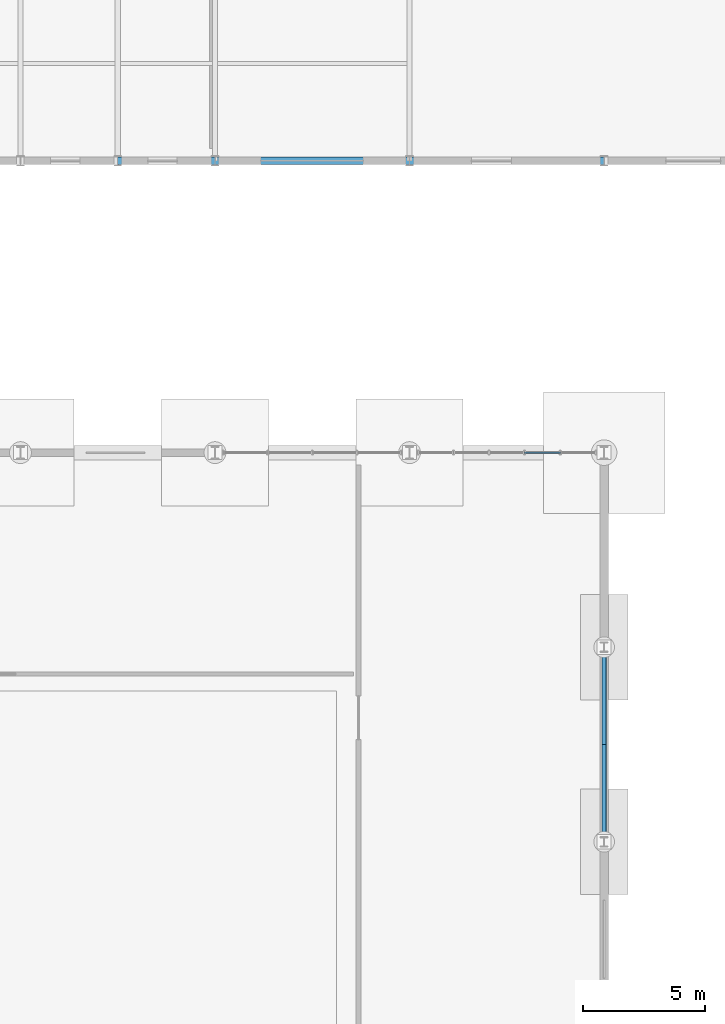
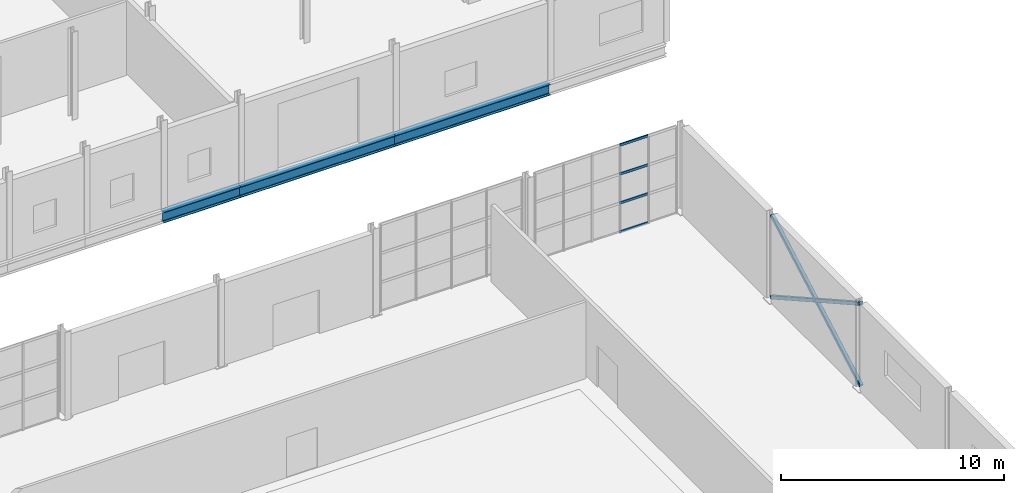
# One storey, part 60 of 101: 6 members, 3 beams, 1 element without a shape of its own.
"""IFC4 building model written with IfcOpenShell, lengths in metres."""

import ifcopenshell
import ifcopenshell.guid

model = None  # the IFC model being written
_history = None  # IfcOwnerHistory: only IFC2X3 demands one
_inside = {}  # id of a spatial element -> (the spatial element, [elements in it])
_under = {}  # id of a project, library or spatial element -> (it, [spatial elements below it])
_declared = {}  # id of a project -> (the project, [libraries it declares])
_typed = {}  # id of a type object -> (the type object, [elements of that type])
_made_of = {}  # id of a material, layer set ... -> (it, [elements and type objects made of it])


def new_model(schema):
    """Start an empty IFC model of exactly this schema.

    Asked for "IFC4X3", IfcOpenShell would pick the latest addendum, in which some entities
    have other attributes; the version numbers below select the first issue.
    IFC2X3 requires an IfcOwnerHistory on every rooted entity: one is made here for all.
    """
    global model, _history
    if schema == "IFC4X3":
        model = ifcopenshell.file(schema_version=(4, 3, 0, 0))
    else:
        model = ifcopenshell.file(schema=schema)
    _inside.clear()
    _under.clear()
    _declared.clear()
    _typed.clear()
    _made_of.clear()
    _history = None
    if model.schema == "IFC2X3":
        org = make("IfcOrganization", Name="unknown")
        user = make(
            "IfcPersonAndOrganization",
            ThePerson=make("IfcPerson", FamilyName="unknown"),
            TheOrganization=org,
        )
        app = make(
            "IfcApplication",
            ApplicationDeveloper=org,
            Version="unknown",
            ApplicationFullName="unknown",
            ApplicationIdentifier="unknown",
        )
        _history = make(
            "IfcOwnerHistory",
            OwningUser=user,
            OwningApplication=app,
            ChangeAction="ADDED",
            CreationDate=0,
        )
    return model


def make(cls, **values):
    """One entity of the class cls with the attributes given. An attribute that is None is left unset."""
    return model.create_entity(
        cls, **{name: value for name, value in values.items() if value is not None}
    )


def rooted(cls, **values):
    """An entity with a GlobalId (a new one), such as an element, a storey or a relation."""
    return make(cls, GlobalId=ifcopenshell.guid.new(), OwnerHistory=_history, **values)


def si_unit(unit_type, name, prefix=None):
    """IfcSIUnit, for example si_unit("LENGTHUNIT", "METRE", prefix="MILLI")."""
    return make("IfcSIUnit", UnitType=unit_type, Prefix=prefix, Name=name)


def derived_unit(unit_type, elements):
    """IfcDerivedUnit: a product of units, each with its exponent."""
    return make(
        "IfcDerivedUnit",
        Elements=[
            make("IfcDerivedUnitElement", Unit=unit, Exponent=power)
            for unit, power in elements
        ],
        UnitType=unit_type,
    )


def assignment(units):
    """IfcUnitAssignment: the units of a project."""
    return None if units is None else make("IfcUnitAssignment", Units=units)


def point(xyz):
    """IfcCartesianPoint."""
    return None if xyz is None else make("IfcCartesianPoint", Coordinates=xyz)


def direction(xyz):
    """IfcDirection."""
    return None if xyz is None else make("IfcDirection", DirectionRatios=xyz)


def frame(location, z_axis=None, x_axis=None):
    """IfcAxis2Placement3D, a coordinate frame: its origin and axes. An axis left out is left unset."""
    return make(
        "IfcAxis2Placement3D",
        Location=point(location),
        Axis=direction(z_axis),
        RefDirection=direction(x_axis),
    )


def frame_2d(location, x_axis=None):
    """IfcAxis2Placement2D, a coordinate frame in the plane: its origin and x axis."""
    return make(
        "IfcAxis2Placement2D", Location=point(location), RefDirection=direction(x_axis)
    )


def origin():
    """The frame at (0, 0, 0) with its axes left unset."""
    return frame((0.0, 0.0, 0.0))


def origin_2d():
    """The frame at (0, 0) in the plane with its x axis left unset."""
    return frame_2d((0.0, 0.0))


def place(relative_to, where):
    """IfcLocalPlacement: puts the frame where relative to a parent placement (None: the world)."""
    return make(
        "IfcLocalPlacement", PlacementRelTo=relative_to, RelativePlacement=where
    )


def context(
    kind, dimensions, precision=None, world=None, true_north=None, identifier=None
):
    """IfcGeometricRepresentationContext, for example the 3D "Model" context."""
    return make(
        "IfcGeometricRepresentationContext",
        ContextIdentifier=identifier,
        ContextType=kind,
        CoordinateSpaceDimension=dimensions,
        Precision=precision,
        WorldCoordinateSystem=world,
        TrueNorth=true_north,
    )


def subcontext(parent, identifier, kind, view, scale=None):
    """IfcGeometricRepresentationSubContext, for example "Body" below "Model"."""
    return make(
        "IfcGeometricRepresentationSubContext",
        ContextIdentifier=identifier,
        ContextType=kind,
        ParentContext=parent,
        TargetScale=scale,
        TargetView=view,
    )


def project(units=None, contexts=None):
    """IfcProject with its units and contexts."""
    return rooted(
        "IfcProject",
        Name="project",
        RepresentationContexts=contexts,
        UnitsInContext=assignment(units),
    )


def spatial(cls, under=None, at=None, **own):
    """A site, building, storey or space (cls), placed at a placement, below another one or the project."""
    s = rooted(cls, ObjectPlacement=at, **own)
    if under is not None:
        _under.setdefault(under.id(), (under, []))[1].append(s)
    return s


def profile(cls, at=None, kind="AREA", **sizes):
    """A parametric profile (cls). Its sizes go by their IFC names, for example OverallWidth=200.0."""
    return make(cls, ProfileType=kind, Position=at, **sizes)


def hollow_rectangle(**sizes):
    """IfcRectangleHollowProfileDef."""
    return profile("IfcRectangleHollowProfileDef", **sizes)


def i_section(**sizes):
    """IfcIShapeProfileDef."""
    return profile("IfcIShapeProfileDef", **sizes)


def extrude(swept, where, along, depth):
    """IfcExtrudedAreaSolid: the profile swept, set in the frame where, extruded along a direction by depth."""
    return make(
        "IfcExtrudedAreaSolid",
        SweptArea=swept,
        Position=where,
        ExtrudedDirection=direction(along),
        Depth=depth,
    )


def shape(context_of_items, identifier, shape_type, items):
    """IfcShapeRepresentation: the items that make up one representation, for example the "Body"."""
    return make(
        "IfcShapeRepresentation",
        ContextOfItems=context_of_items,
        RepresentationIdentifier=identifier,
        RepresentationType=shape_type,
        Items=items,
    )


def material(Name=None, Category=None):
    """IfcMaterial."""
    return make("IfcMaterial", Name=Name, Category=Category)


def material_profile(
    of_material, cross_section, Name=None, Category=None, Priority=None
):
    """IfcMaterialProfile: a cross section and its material."""
    return make(
        "IfcMaterialProfile",
        Name=Name,
        Material=of_material,
        Profile=cross_section,
        Priority=Priority,
        Category=Category,
    )


def profile_set(profiles, Name=None, composite=None):
    """IfcMaterialProfileSet."""
    return make(
        "IfcMaterialProfileSet",
        Name=Name,
        MaterialProfiles=profiles,
        CompositeProfile=composite,
    )


def made_of(thing, what):
    """Note that an element or type object is made of a material, layer set ...; save() writes the relation."""
    if what is not None:
        _made_of.setdefault(what.id(), (what, []))[1].append(thing)
    return thing


def type_object(cls, material=None, **own):
    """A type object (cls), such as IfcWallType, which elements share."""
    return made_of(rooted(cls, **own), material)


def element(
    cls,
    number,
    at=None,
    inside=None,
    cuts=None,
    type_object=None,
    material=None,
    context=None,
    identifier="Body",
    shape_type=None,
    held_by="IfcProductDefinitionShape",
    body=None,
    shapes=None,
    **own,
):
    """One element of the class cls, such as IfcWall. Its Tag is "e" and its number.

    at: its placement. inside: the storey or other place that contains it. cuts: it is an
    opening in that element (IfcRelVoidsElement). A single representation is given by context,
    identifier, shape_type and body (its items); several are given by shapes. held_by: the class
    of the entity that holds the representations. save() writes the other relations.
    """
    e = rooted(cls, Tag="e%d" % number, ObjectPlacement=at, **own)
    if body is not None:
        shapes = [shape(context, identifier, shape_type, body)]
    if shapes is not None:
        e.Representation = make(held_by, Representations=shapes)
    if inside is not None:
        _inside.setdefault(inside.id(), (inside, []))[1].append(e)
    if cuts is not None:
        rooted(
            "IfcRelVoidsElement", RelatingBuildingElement=cuts, RelatedOpeningElement=e
        )
    if type_object is not None:
        _typed.setdefault(type_object.id(), (type_object, []))[1].append(e)
    return made_of(e, material)


def aggregate(whole, parts):
    """IfcRelAggregates: a whole, such as a stair, and the parts it consists of."""
    return rooted("IfcRelAggregates", RelatingObject=whole, RelatedObjects=parts)


def save(model, path):
    """Write the relations noted so far, then the file.

    IfcRelAggregates (storeys below a building ...), IfcRelContainedInSpatialStructure (elements
    in a storey), IfcRelDefinesByType, IfcRelAssociatesMaterial and IfcRelDeclares: one each for
    every whole, place, type object, material and project.
    """
    for whole, parts in _under.values():
        aggregate(whole, parts)
    for where, things in _inside.values():
        rooted(
            "IfcRelContainedInSpatialStructure",
            RelatedElements=things,
            RelatingStructure=where,
        )
    for kind, things in _typed.values():
        rooted("IfcRelDefinesByType", RelatedObjects=things, RelatingType=kind)
    for what, things in _made_of.values():
        rooted("IfcRelAssociatesMaterial", RelatedObjects=things, RelatingMaterial=what)
    for by, libraries in _declared.values():
        rooted("IfcRelDeclares", RelatingContext=by, RelatedDefinitions=libraries)
    model.write(path)


model = new_model("IFC4")

# Units and contexts
model_context = context("Model", 3, precision=1e-05, world=origin(), true_north=direction((0.0, 1.0)))
body_context = subcontext(model_context, "Body", "Model", "MODEL_VIEW")
ifc_project = project(units=[si_unit("LENGTHUNIT", "METRE"), si_unit("AREAUNIT", "SQUARE_METRE"), si_unit("VOLUMEUNIT", "CUBIC_METRE"), si_unit("PLANEANGLEUNIT", "RADIAN"), si_unit("MASSUNIT", "GRAM", prefix="KILO"), derived_unit("THERMALTRANSMITTANCEUNIT", [(si_unit("POWERUNIT", "WATT"), 1), (si_unit("LENGTHUNIT", "METRE"), -2), (si_unit("THERMODYNAMICTEMPERATUREUNIT", "KELVIN"), -1)])], contexts=[model_context])

# Site, building, storey
site_placement = place(None, origin())
site = spatial("IfcSite", under=ifc_project, at=site_placement, CompositionType="ELEMENT")
building_placement = place(site_placement, origin())
building = spatial("IfcBuilding", under=site, at=building_placement, Name="Keldorne Ridge Multi-Sports Centre", CompositionType="ELEMENT")
storey_placement = place(building_placement, origin())
storey = spatial("IfcBuildingStorey", under=building, at=storey_placement, Name="L00", CompositionType="ELEMENT", Elevation=0.0)

# Beams
ifc_material_1 = material(Name="Steel S355", Category="steel")
ifc_material_profile_1 = material_profile(ifc_material_1, i_section(OverallWidth=0.300048828125, OverallDepth=0.590087890625, WebThickness=0.012939453125, FlangeThickness=0.02490234375, FilletRadius=0.027099609375, at=origin_2d()), Name="HEA 600")
ifc_profile_set_1 = profile_set([ifc_material_profile_1], Name="Steel S355")
beam_type = type_object("IfcBeamType", Name="BM-B-06", PredefinedType="BEAM", material=ifc_profile_set_1)
beam_placement = place(storey_placement, frame((148.0, 66.0, -0.56494140625), z_axis=(1.0, 0.0, 0.0), x_axis=(0.0, 1.0, 0.0)))
element("IfcBeam", 1, at=beam_placement, inside=storey, type_object=beam_type, Name="L00 primary beam 10.66", PredefinedType="BEAM", context=body_context, shape_type="SweptSolid", body=[
    extrude(i_section(OverallWidth=0.300048828125, OverallDepth=0.590087890625, WebThickness=0.012939453125, FlangeThickness=0.02490234375, FilletRadius=0.027099609375, at=origin_2d()), origin(), (0.0, 0.0, 1.0), 4.0),
])
for number, where, z_axis, x_axis, name in (
    (2, (152.0, 66.0, -0.56494140625), (1.0, 0.0, 0.0), (0.0, 1.0, 0.0), "L00 primary beam 11.66"),
    (3, (160.0, 66.0, -0.56494140625), (1.0, 0.0, 0.0), (0.0, 1.0, 0.0), "L00 primary beam 12.66"),
):
    element("IfcBeam", number, at=place(storey_placement, frame(where, z_axis=z_axis, x_axis=x_axis)), inside=storey, type_object=beam_type, Name=name, PredefinedType="BEAM", context=body_context, shape_type="SweptSolid", body=[
        extrude(i_section(OverallWidth=0.300048828125, OverallDepth=0.590087890625, WebThickness=0.012939453125, FlangeThickness=0.02490234375, FilletRadius=0.027099609375, at=origin_2d()), origin(), (0.0, 0.0, 1.0), 8.0),
    ])

# Curtain wall, members
ifc_material_2 = material(Name="Anodized aluminium", Category="aluminium")
curtain_wall_type = type_object("IfcCurtainWallType", Name="CW-CW-07", PredefinedType="NOTDEFINED", material=ifc_material_2)
curtain_wall_placement = place(storey_placement, origin())
curtain_wall = element("IfcCurtainWall", 4, at=curtain_wall_placement, inside=storey, type_object=curtain_wall_type, Name="Lower Courts north glazing 135", PredefinedType="NOTDEFINED")
ifc_material_profile_2 = material_profile(ifc_material_2, hollow_rectangle(XDim=0.06494140625, YDim=0.139892578125, WallThickness=0.00439453125, InnerFilletRadius=0.00439453125, OuterFilletRadius=0.009033203125, at=origin_2d()), Name="ALU TRANSOM 140x65x4.5")
ifc_profile_set_2 = profile_set([ifc_material_profile_2], Name="Anodized aluminium")
member_type_1 = type_object("IfcMemberType", Name="MEM-TR-01", PredefinedType="USERDEFINED", material=ifc_profile_set_2)
member_1_placement = place(storey_placement, frame((166.196044921875, 54.0, 0.0), z_axis=(-1.0, 0.0, 0.0), x_axis=(0.0, -1.0, 0.0)))
member_1 = element("IfcMember", 5, at=member_1_placement, type_object=member_type_1, Name="CW-135 transom 2.1", ObjectType="TRANSOM", PredefinedType="USERDEFINED", context=body_context, shape_type="SweptSolid", body=[
    extrude(hollow_rectangle(XDim=0.06494140625, YDim=0.139892578125, WallThickness=0.00439453125, InnerFilletRadius=0.00439453125, OuterFilletRadius=0.009033203125, at=origin_2d()), origin(), (0.0, 0.0, 1.0), 1.464111328125),
])
member_2_placement = place(storey_placement, frame((166.196044921875, 54.0, 1.583251953125), z_axis=(-1.0, 0.0, 0.0), x_axis=(0.0, -1.0, 0.0)))
member_2 = element("IfcMember", 6, at=member_2_placement, type_object=member_type_1, Name="CW-135 transom 2.2", ObjectType="TRANSOM", PredefinedType="USERDEFINED", context=body_context, shape_type="SweptSolid", body=[
    extrude(hollow_rectangle(XDim=0.06494140625, YDim=0.139892578125, WallThickness=0.00439453125, InnerFilletRadius=0.00439453125, OuterFilletRadius=0.009033203125, at=origin_2d()), origin(), (0.0, 0.0, 1.0), 1.464111328125),
])
member_3_placement = place(storey_placement, frame((166.196044921875, 54.0, 3.166748046875), z_axis=(-1.0, 0.0, 0.0), x_axis=(0.0, -1.0, 0.0)))
member_3 = element("IfcMember", 7, at=member_3_placement, type_object=member_type_1, Name="CW-135 transom 2.3", ObjectType="TRANSOM", PredefinedType="USERDEFINED", context=body_context, shape_type="SweptSolid", body=[
    extrude(hollow_rectangle(XDim=0.06494140625, YDim=0.139892578125, WallThickness=0.00439453125, InnerFilletRadius=0.00439453125, OuterFilletRadius=0.009033203125, at=origin_2d()), origin(), (0.0, 0.0, 1.0), 1.464111328125),
])
member_4_placement = place(storey_placement, frame((166.196044921875, 54.0, 4.75), z_axis=(-1.0, 0.0, 0.0), x_axis=(0.0, -1.0, 0.0)))
member_4 = element("IfcMember", 8, at=member_4_placement, type_object=member_type_1, Name="CW-135 transom 2.4", ObjectType="TRANSOM", PredefinedType="USERDEFINED", context=body_context, shape_type="SweptSolid", body=[
    extrude(hollow_rectangle(XDim=0.06494140625, YDim=0.139892578125, WallThickness=0.00439453125, InnerFilletRadius=0.00439453125, OuterFilletRadius=0.009033203125, at=origin_2d()), origin(), (0.0, 0.0, 1.0), 1.464111328125),
])
aggregate(curtain_wall, [member_1, member_2, member_3, member_4])

# Members
ifc_material_profile_3 = material_profile(ifc_material_1, hollow_rectangle(XDim=0.179931640625, YDim=0.179931640625, WallThickness=0.010009765625, InnerFilletRadius=0.010009765625, OuterFilletRadius=0.02001953125, at=origin_2d()), Name="SHS 180x180x10")
ifc_profile_set_3 = profile_set([ifc_material_profile_3], Name="Steel S355")
member_type_2 = type_object("IfcMemberType", Name="MEM-WB-02", PredefinedType="BRACE", material=ifc_profile_set_3)
for number, where, z_axis, x_axis, name in (
    (9, (168.0, 38.0, 0.14990234375), (0.0, 0.871575537125, 0.490261239633), (-1.0, 0.0, 0.0), "Perimeter vertical X-brace V2E-L0-A"),
    (10, (168.0, 38.0, 4.64990234375), (0.0, 0.871575537125, -0.490261239633), (-1.0, 0.0, 0.0), "Perimeter vertical X-brace V2E-L0-B"),
):
    element("IfcMember", number, at=place(storey_placement, frame(where, z_axis=z_axis, x_axis=x_axis)), inside=storey, type_object=member_type_2, Name=name, PredefinedType="BRACE", context=body_context, shape_type="SweptSolid", body=[
        extrude(hollow_rectangle(XDim=0.179931640625, YDim=0.179931640625, WallThickness=0.010009765625, InnerFilletRadius=0.010009765625, OuterFilletRadius=0.02001953125, at=origin_2d()), origin(), (0.0, 0.0, 1.0), 9.1787109375),
    ])

save(model, "model.ifc")
